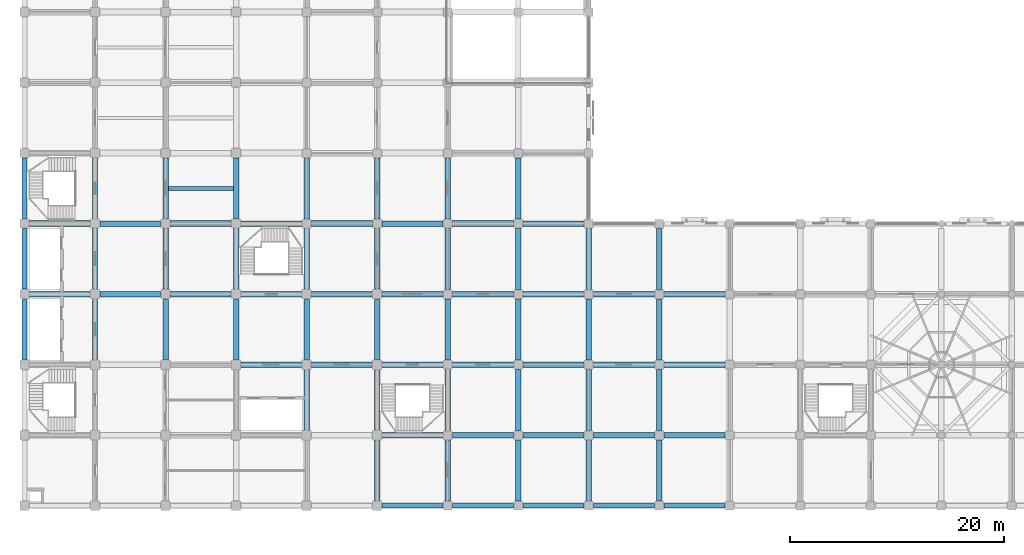
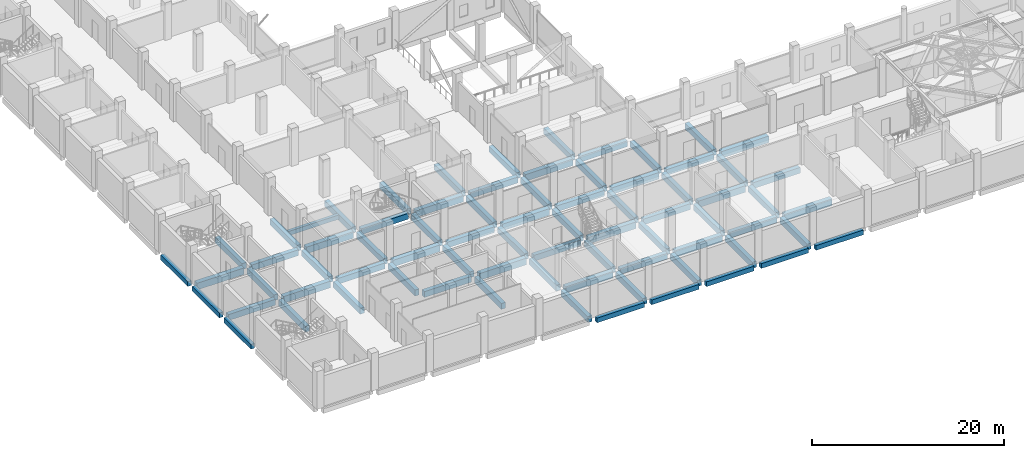
# One storey, part 2 of 34: 75 beams.
"""IFC4 building model written with IfcOpenShell, lengths in metres."""

import ifcopenshell
import ifcopenshell.guid

model = None  # the IFC model being written
_history = None  # IfcOwnerHistory: only IFC2X3 demands one
_inside = {}  # id of a spatial element -> (the spatial element, [elements in it])
_under = {}  # id of a project, library or spatial element -> (it, [spatial elements below it])
_declared = {}  # id of a project -> (the project, [libraries it declares])
_typed = {}  # id of a type object -> (the type object, [elements of that type])
_made_of = {}  # id of a material, layer set ... -> (it, [elements and type objects made of it])


def new_model(schema):
    """Start an empty IFC model of exactly this schema.

    Asked for "IFC4X3", IfcOpenShell would pick the latest addendum, in which some entities
    have other attributes; the version numbers below select the first issue.
    IFC2X3 requires an IfcOwnerHistory on every rooted entity: one is made here for all.
    """
    global model, _history
    if schema == "IFC4X3":
        model = ifcopenshell.file(schema_version=(4, 3, 0, 0))
    else:
        model = ifcopenshell.file(schema=schema)
    _inside.clear()
    _under.clear()
    _declared.clear()
    _typed.clear()
    _made_of.clear()
    _history = None
    if model.schema == "IFC2X3":
        org = make("IfcOrganization", Name="unknown")
        user = make(
            "IfcPersonAndOrganization",
            ThePerson=make("IfcPerson", FamilyName="unknown"),
            TheOrganization=org,
        )
        app = make(
            "IfcApplication",
            ApplicationDeveloper=org,
            Version="unknown",
            ApplicationFullName="unknown",
            ApplicationIdentifier="unknown",
        )
        _history = make(
            "IfcOwnerHistory",
            OwningUser=user,
            OwningApplication=app,
            ChangeAction="ADDED",
            CreationDate=0,
        )
    return model


def make(cls, **values):
    """One entity of the class cls with the attributes given. An attribute that is None is left unset."""
    return model.create_entity(
        cls, **{name: value for name, value in values.items() if value is not None}
    )


def rooted(cls, **values):
    """An entity with a GlobalId (a new one), such as an element, a storey or a relation."""
    return make(cls, GlobalId=ifcopenshell.guid.new(), OwnerHistory=_history, **values)


def si_unit(unit_type, name, prefix=None):
    """IfcSIUnit, for example si_unit("LENGTHUNIT", "METRE", prefix="MILLI")."""
    return make("IfcSIUnit", UnitType=unit_type, Prefix=prefix, Name=name)


def assignment(units):
    """IfcUnitAssignment: the units of a project."""
    return None if units is None else make("IfcUnitAssignment", Units=units)


def point(xyz):
    """IfcCartesianPoint."""
    return None if xyz is None else make("IfcCartesianPoint", Coordinates=xyz)


def direction(xyz):
    """IfcDirection."""
    return None if xyz is None else make("IfcDirection", DirectionRatios=xyz)


def frame(location, z_axis=None, x_axis=None):
    """IfcAxis2Placement3D, a coordinate frame: its origin and axes. An axis left out is left unset."""
    return make(
        "IfcAxis2Placement3D",
        Location=point(location),
        Axis=direction(z_axis),
        RefDirection=direction(x_axis),
    )


def frame_2d(location, x_axis=None):
    """IfcAxis2Placement2D, a coordinate frame in the plane: its origin and x axis."""
    return make(
        "IfcAxis2Placement2D", Location=point(location), RefDirection=direction(x_axis)
    )


def origin():
    """The frame at (0, 0, 0) with its axes left unset."""
    return frame((0.0, 0.0, 0.0))


def origin_2d():
    """The frame at (0, 0) in the plane with its x axis left unset."""
    return frame_2d((0.0, 0.0))


def place(relative_to, where):
    """IfcLocalPlacement: puts the frame where relative to a parent placement (None: the world)."""
    return make(
        "IfcLocalPlacement", PlacementRelTo=relative_to, RelativePlacement=where
    )


def context(
    kind, dimensions, precision=None, world=None, true_north=None, identifier=None
):
    """IfcGeometricRepresentationContext, for example the 3D "Model" context."""
    return make(
        "IfcGeometricRepresentationContext",
        ContextIdentifier=identifier,
        ContextType=kind,
        CoordinateSpaceDimension=dimensions,
        Precision=precision,
        WorldCoordinateSystem=world,
        TrueNorth=true_north,
    )


def subcontext(parent, identifier, kind, view, scale=None):
    """IfcGeometricRepresentationSubContext, for example "Body" below "Model"."""
    return make(
        "IfcGeometricRepresentationSubContext",
        ContextIdentifier=identifier,
        ContextType=kind,
        ParentContext=parent,
        TargetScale=scale,
        TargetView=view,
    )


def project(units=None, contexts=None):
    """IfcProject with its units and contexts."""
    return rooted(
        "IfcProject",
        Name="project",
        RepresentationContexts=contexts,
        UnitsInContext=assignment(units),
    )


def spatial(cls, under=None, at=None, **own):
    """A site, building, storey or space (cls), placed at a placement, below another one or the project."""
    s = rooted(cls, ObjectPlacement=at, **own)
    if under is not None:
        _under.setdefault(under.id(), (under, []))[1].append(s)
    return s


def profile(cls, at=None, kind="AREA", **sizes):
    """A parametric profile (cls). Its sizes go by their IFC names, for example OverallWidth=200.0."""
    return make(cls, ProfileType=kind, Position=at, **sizes)


def rectangle(**sizes):
    """IfcRectangleProfileDef."""
    return profile("IfcRectangleProfileDef", **sizes)


def extrude(swept, where, along, depth):
    """IfcExtrudedAreaSolid: the profile swept, set in the frame where, extruded along a direction by depth."""
    return make(
        "IfcExtrudedAreaSolid",
        SweptArea=swept,
        Position=where,
        ExtrudedDirection=direction(along),
        Depth=depth,
    )


def shape(context_of_items, identifier, shape_type, items):
    """IfcShapeRepresentation: the items that make up one representation, for example the "Body"."""
    return make(
        "IfcShapeRepresentation",
        ContextOfItems=context_of_items,
        RepresentationIdentifier=identifier,
        RepresentationType=shape_type,
        Items=items,
    )


def material(Name=None, Category=None):
    """IfcMaterial."""
    return make("IfcMaterial", Name=Name, Category=Category)


def material_profile(
    of_material, cross_section, Name=None, Category=None, Priority=None
):
    """IfcMaterialProfile: a cross section and its material."""
    return make(
        "IfcMaterialProfile",
        Name=Name,
        Material=of_material,
        Profile=cross_section,
        Priority=Priority,
        Category=Category,
    )


def profile_set(profiles, Name=None, composite=None):
    """IfcMaterialProfileSet."""
    return make(
        "IfcMaterialProfileSet",
        Name=Name,
        MaterialProfiles=profiles,
        CompositeProfile=composite,
    )


def made_of(thing, what):
    """Note that an element or type object is made of a material, layer set ...; save() writes the relation."""
    if what is not None:
        _made_of.setdefault(what.id(), (what, []))[1].append(thing)
    return thing


def type_object(cls, material=None, **own):
    """A type object (cls), such as IfcWallType, which elements share."""
    return made_of(rooted(cls, **own), material)


def element(
    cls,
    number,
    at=None,
    inside=None,
    cuts=None,
    type_object=None,
    material=None,
    context=None,
    identifier="Body",
    shape_type=None,
    held_by="IfcProductDefinitionShape",
    body=None,
    shapes=None,
    **own,
):
    """One element of the class cls, such as IfcWall. Its Tag is "e" and its number.

    at: its placement. inside: the storey or other place that contains it. cuts: it is an
    opening in that element (IfcRelVoidsElement). A single representation is given by context,
    identifier, shape_type and body (its items); several are given by shapes. held_by: the class
    of the entity that holds the representations. save() writes the other relations.
    """
    e = rooted(cls, Tag="e%d" % number, ObjectPlacement=at, **own)
    if body is not None:
        shapes = [shape(context, identifier, shape_type, body)]
    if shapes is not None:
        e.Representation = make(held_by, Representations=shapes)
    if inside is not None:
        _inside.setdefault(inside.id(), (inside, []))[1].append(e)
    if cuts is not None:
        rooted(
            "IfcRelVoidsElement", RelatingBuildingElement=cuts, RelatedOpeningElement=e
        )
    if type_object is not None:
        _typed.setdefault(type_object.id(), (type_object, []))[1].append(e)
    return made_of(e, material)


def aggregate(whole, parts):
    """IfcRelAggregates: a whole, such as a stair, and the parts it consists of."""
    return rooted("IfcRelAggregates", RelatingObject=whole, RelatedObjects=parts)


def save(model, path):
    """Write the relations noted so far, then the file.

    IfcRelAggregates (storeys below a building ...), IfcRelContainedInSpatialStructure (elements
    in a storey), IfcRelDefinesByType, IfcRelAssociatesMaterial and IfcRelDeclares: one each for
    every whole, place, type object, material and project.
    """
    for whole, parts in _under.values():
        aggregate(whole, parts)
    for where, things in _inside.values():
        rooted(
            "IfcRelContainedInSpatialStructure",
            RelatedElements=things,
            RelatingStructure=where,
        )
    for kind, things in _typed.values():
        rooted("IfcRelDefinesByType", RelatedObjects=things, RelatingType=kind)
    for what, things in _made_of.values():
        rooted("IfcRelAssociatesMaterial", RelatedObjects=things, RelatingMaterial=what)
    for by, libraries in _declared.values():
        rooted("IfcRelDeclares", RelatingContext=by, RelatedDefinitions=libraries)
    model.write(path)


model = new_model("IFC4")

# Units and contexts
model_context = context("Model", 3, precision=1e-05, world=origin(), true_north=direction((0.0, 1.0)))
body_context = subcontext(model_context, "Body", "Model", "MODEL_VIEW")
ifc_project = project(units=[si_unit("LENGTHUNIT", "METRE"), si_unit("AREAUNIT", "SQUARE_METRE"), si_unit("VOLUMEUNIT", "CUBIC_METRE"), si_unit("PLANEANGLEUNIT", "RADIAN"), si_unit("MASSUNIT", "GRAM", prefix="KILO")], contexts=[model_context])

# Site, building, storey
site_placement = place(None, origin())
site = spatial("IfcSite", under=ifc_project, at=site_placement, CompositionType="ELEMENT")
building_placement = place(site_placement, origin())
building = spatial("IfcBuilding", under=site, at=building_placement, Name="Rusizi Kubbe Research Institute", CompositionType="ELEMENT")
storey_placement = place(building_placement, frame((0.0, 0.0, 5.39990234375)))
storey = spatial("IfcBuildingStorey", under=building, at=storey_placement, Name="L01", CompositionType="ELEMENT", Elevation=5.39990234375)

# Beams
ifc_material_1 = material(Name="Concrete C40/50", Category="concrete")
ifc_material_profile_1 = material_profile(ifc_material_1, rectangle(XDim=0.35009765625, YDim=0.550048828125, at=origin_2d()), Name="RC350x550")
ifc_profile_set_1 = profile_set([ifc_material_profile_1], Name="Concrete C40/50")
beam_type_1 = type_object("IfcBeamType", Name="BM-RC350x550", PredefinedType="JOIST", material=ifc_profile_set_1)
beam_1_placement = place(storey_placement, frame((13.449951171875, 29.699951171875, -0.625), z_axis=(1.0, 0.0, 0.0), x_axis=(0.0, 1.0, 0.0)))
element("IfcBeam", 1, at=beam_1_placement, inside=storey, type_object=beam_type_1, Name="Lab Stiffener Joist L01 (2,4)", PredefinedType="JOIST", context=body_context, shape_type="SweptSolid", body=[
    extrude(rectangle(XDim=0.35009765625, YDim=0.550048828125, at=origin_2d()), origin(), (0.0, 0.0, 1.0), 6.10009765625),
])
ifc_material_2 = material(Name="Concrete C40/50", Category="concrete")
ifc_material_profile_2 = material_profile(ifc_material_2, rectangle(XDim=0.449951171875, YDim=0.60009765625, at=origin_2d()), Name="RC450x600")
ifc_profile_set_2 = profile_set([ifc_material_profile_2], Name="Concrete C40/50")
beam_type_2 = type_object("IfcBeamType", Name="BM-RC450x600", PredefinedType="SPANDREL", material=ifc_profile_set_2)
beam_2_placement = place(storey_placement, frame((33.47509765625, 0.0, -0.64990234375), z_axis=(1.0, 0.0, 0.0), x_axis=(0.0, 1.0, 0.0)))
element("IfcBeam", 2, at=beam_2_placement, inside=storey, type_object=beam_type_2, Name="Grid Beam H L01 (5,0)", PredefinedType="SPANDREL", context=body_context, shape_type="SweptSolid", body=[
    extrude(rectangle(XDim=0.449951171875, YDim=0.60009765625, at=origin_2d()), origin(), (0.0, 0.0, 1.0), 5.6748046875),
])
beam_3_placement = place(storey_placement, frame((40.050048828125, 0.0, -0.64990234375), z_axis=(1.0, 0.0, 0.0), x_axis=(0.0, 1.0, 0.0)))
element("IfcBeam", 3, at=beam_3_placement, inside=storey, type_object=beam_type_2, Name="Grid Beam H L01 (6,0)", PredefinedType="SPANDREL", context=body_context, shape_type="SweptSolid", body=[
    extrude(rectangle(XDim=0.449951171875, YDim=0.60009765625, at=origin_2d()), origin(), (0.0, 0.0, 1.0), 5.699951171875),
])
beam_4_placement = place(storey_placement, frame((46.64990234375, 0.0, -0.64990234375), z_axis=(1.0, 0.0, 0.0), x_axis=(0.0, 1.0, 0.0)))
element("IfcBeam", 4, at=beam_4_placement, inside=storey, type_object=beam_type_2, Name="Grid Beam H L01 (7,0)", PredefinedType="SPANDREL", context=body_context, shape_type="SweptSolid", body=[
    extrude(rectangle(XDim=0.449951171875, YDim=0.60009765625, at=origin_2d()), origin(), (0.0, 0.0, 1.0), 5.7001953125),
])
for number, where, z_axis, x_axis, name in (
    (5, (53.25, 0.0, -0.64990234375), (1.0, 0.0, 0.0), (0.0, 1.0, 0.0), "Grid Beam H L01 (8,0)"),
    (6, (59.85009765625, 0.0, -0.64990234375), (1.0, 0.0, 0.0), (0.0, 1.0, 0.0), "Grid Beam H L01 (9,0)"),
):
    element("IfcBeam", number, at=place(storey_placement, frame(where, z_axis=z_axis, x_axis=x_axis)), inside=storey, type_object=beam_type_2, Name=name, PredefinedType="SPANDREL", context=body_context, shape_type="SweptSolid", body=[
        extrude(rectangle(XDim=0.449951171875, YDim=0.60009765625, at=origin_2d()), origin(), (0.0, 0.0, 1.0), 5.699951171875),
    ])
beam_5_placement = place(storey_placement, frame((0.0, 13.675048828125, -0.64990234375), z_axis=(0.0, 1.0, 0.0), x_axis=(-1.0, 0.0, 0.0)))
element("IfcBeam", 7, at=beam_5_placement, inside=storey, type_object=beam_type_2, Name="Grid Beam V L01 (0,2)", PredefinedType="SPANDREL", context=body_context, shape_type="SweptSolid", body=[
    extrude(rectangle(XDim=0.449951171875, YDim=0.60009765625, at=origin_2d()), origin(), (0.0, 0.0, 1.0), 5.64990234375),
])
beam_6_placement = place(storey_placement, frame((0.0, 20.27490234375, -0.64990234375), z_axis=(0.0, 1.0, 0.0), x_axis=(-1.0, 0.0, 0.0)))
element("IfcBeam", 8, at=beam_6_placement, inside=storey, type_object=beam_type_2, Name="Grid Beam V L01 (0,3)", PredefinedType="SPANDREL", context=body_context, shape_type="SweptSolid", body=[
    extrude(rectangle(XDim=0.449951171875, YDim=0.60009765625, at=origin_2d()), origin(), (0.0, 0.0, 1.0), 5.650146484375),
])
beam_7_placement = place(storey_placement, frame((0.0, 26.875, -0.64990234375), z_axis=(0.0, 1.0, 0.0), x_axis=(-1.0, 0.0, 0.0)))
element("IfcBeam", 9, at=beam_7_placement, inside=storey, type_object=beam_type_2, Name="Grid Beam V L01 (0,4)", PredefinedType="SPANDREL", context=body_context, shape_type="SweptSolid", body=[
    extrude(rectangle(XDim=0.449951171875, YDim=0.60009765625, at=origin_2d()), origin(), (0.0, 0.0, 1.0), 5.64990234375),
])
ifc_material_3 = material(Name="Concrete C45/55", Category="concrete")
ifc_material_profile_3 = material_profile(ifc_material_3, rectangle(XDim=0.5, YDim=0.75, at=origin_2d()), Name="RC500x750B")
ifc_profile_set_3 = profile_set([ifc_material_profile_3], Name="Concrete C45/55")
beam_type_3 = type_object("IfcBeamType", Name="BM-RC500x750", PredefinedType="BEAM", material=ifc_profile_set_3)
beam_8_placement = place(storey_placement, frame((0.47509765625, 19.800048828125, -0.724853515625), z_axis=(1.0, 0.0, 0.0), x_axis=(0.0, 1.0, 0.0)))
element("IfcBeam", 10, at=beam_8_placement, inside=storey, type_object=beam_type_3, Name="Grid Beam H L01 (0,3)", PredefinedType="BEAM", context=body_context, shape_type="SweptSolid", body=[
    extrude(rectangle(XDim=0.5, YDim=0.75, at=origin_2d()), origin(), (0.0, 0.0, 1.0), 5.64990234375),
])
beam_9_placement = place(storey_placement, frame((7.074951171875, 26.39990234375, -0.724853515625), z_axis=(1.0, 0.0, 0.0), x_axis=(0.0, 1.0, 0.0)))
element("IfcBeam", 11, at=beam_9_placement, inside=storey, type_object=beam_type_3, Name="Grid Beam H L01 (1,4)", PredefinedType="BEAM", context=body_context, shape_type="SweptSolid", body=[
    extrude(rectangle(XDim=0.5, YDim=0.75, at=origin_2d()), origin(), (0.0, 0.0, 1.0), 5.650146484375),
])
beam_10_placement = place(storey_placement, frame((13.675048828125, 19.800048828125, -0.724853515625), z_axis=(1.0, 0.0, 0.0), x_axis=(0.0, 1.0, 0.0)))
element("IfcBeam", 12, at=beam_10_placement, inside=storey, type_object=beam_type_3, Name="Grid Beam H L01 (2,3)", PredefinedType="BEAM", context=body_context, shape_type="SweptSolid", body=[
    extrude(rectangle(XDim=0.5, YDim=0.75, at=origin_2d()), origin(), (0.0, 0.0, 1.0), 5.64990234375),
])
beam_11_placement = place(storey_placement, frame((20.27490234375, 13.199951171875, -0.724853515625), z_axis=(1.0, 0.0, 0.0), x_axis=(0.0, 1.0, 0.0)))
element("IfcBeam", 13, at=beam_11_placement, inside=storey, type_object=beam_type_3, Name="Grid Beam H L01 (3,2)", PredefinedType="BEAM", context=body_context, shape_type="SweptSolid", body=[
    extrude(rectangle(XDim=0.5, YDim=0.75, at=origin_2d()), origin(), (0.0, 0.0, 1.0), 5.650146484375),
])
beam_12_placement = place(storey_placement, frame((20.27490234375, 26.39990234375, -0.724853515625), z_axis=(1.0, 0.0, 0.0), x_axis=(0.0, 1.0, 0.0)))
element("IfcBeam", 14, at=beam_12_placement, inside=storey, type_object=beam_type_3, Name="Grid Beam H L01 (3,4)", PredefinedType="BEAM", context=body_context, shape_type="SweptSolid", body=[
    extrude(rectangle(XDim=0.5, YDim=0.75, at=origin_2d()), origin(), (0.0, 0.0, 1.0), 5.675048828125),
])
beam_13_placement = place(storey_placement, frame((26.875, 19.800048828125, -0.724853515625), z_axis=(1.0, 0.0, 0.0), x_axis=(0.0, 1.0, 0.0)))
element("IfcBeam", 15, at=beam_13_placement, inside=storey, type_object=beam_type_3, Name="Grid Beam H L01 (4,3)", PredefinedType="BEAM", context=body_context, shape_type="SweptSolid", body=[
    extrude(rectangle(XDim=0.5, YDim=0.75, at=origin_2d()), origin(), (0.0, 0.0, 1.0), 5.64990234375),
])
beam_14_placement = place(storey_placement, frame((33.47509765625, 13.199951171875, -0.724853515625), z_axis=(1.0, 0.0, 0.0), x_axis=(0.0, 1.0, 0.0)))
element("IfcBeam", 16, at=beam_14_placement, inside=storey, type_object=beam_type_3, Name="Grid Beam H L01 (5,2)", PredefinedType="BEAM", context=body_context, shape_type="SweptSolid", body=[
    extrude(rectangle(XDim=0.5, YDim=0.75, at=origin_2d()), origin(), (0.0, 0.0, 1.0), 5.6748046875),
])
for number, where, z_axis, x_axis, name in (
    (17, (33.449951171875, 26.39990234375, -0.724853515625), (1.0, 0.0, 0.0), (0.0, 1.0, 0.0), "Grid Beam H L01 (5,4)"),
    (18, (40.050048828125, 6.60009765625, -0.724853515625), (1.0, 0.0, 0.0), (0.0, 1.0, 0.0), "Grid Beam H L01 (6,1)"),
    (19, (40.050048828125, 19.800048828125, -0.724853515625), (1.0, 0.0, 0.0), (0.0, 1.0, 0.0), "Grid Beam H L01 (6,3)"),
):
    element("IfcBeam", number, at=place(storey_placement, frame(where, z_axis=z_axis, x_axis=x_axis)), inside=storey, type_object=beam_type_3, Name=name, PredefinedType="BEAM", context=body_context, shape_type="SweptSolid", body=[
        extrude(rectangle(XDim=0.5, YDim=0.75, at=origin_2d()), origin(), (0.0, 0.0, 1.0), 5.699951171875),
    ])
for number, where, z_axis, x_axis, name in (
    (20, (46.64990234375, 13.199951171875, -0.724853515625), (1.0, 0.0, 0.0), (0.0, 1.0, 0.0), "Grid Beam H L01 (7,2)"),
    (21, (46.64990234375, 26.39990234375, -0.724853515625), (1.0, 0.0, 0.0), (0.0, 1.0, 0.0), "Grid Beam H L01 (7,4)"),
):
    element("IfcBeam", number, at=place(storey_placement, frame(where, z_axis=z_axis, x_axis=x_axis)), inside=storey, type_object=beam_type_3, Name=name, PredefinedType="BEAM", context=body_context, shape_type="SweptSolid", body=[
        extrude(rectangle(XDim=0.5, YDim=0.75, at=origin_2d()), origin(), (0.0, 0.0, 1.0), 5.7001953125),
    ])
for number, where, z_axis, x_axis, name in (
    (22, (53.25, 6.60009765625, -0.724853515625), (1.0, 0.0, 0.0), (0.0, 1.0, 0.0), "Grid Beam H L01 (8,1)"),
    (23, (53.25, 19.800048828125, -0.724853515625), (1.0, 0.0, 0.0), (0.0, 1.0, 0.0), "Grid Beam H L01 (8,3)"),
    (24, (59.85009765625, 13.199951171875, -0.724853515625), (1.0, 0.0, 0.0), (0.0, 1.0, 0.0), "Grid Beam H L01 (9,2)"),
):
    element("IfcBeam", number, at=place(storey_placement, frame(where, z_axis=z_axis, x_axis=x_axis)), inside=storey, type_object=beam_type_3, Name=name, PredefinedType="BEAM", context=body_context, shape_type="SweptSolid", body=[
        extrude(rectangle(XDim=0.5, YDim=0.75, at=origin_2d()), origin(), (0.0, 0.0, 1.0), 5.699951171875),
    ])
beam_15_placement = place(storey_placement, frame((6.60009765625, 13.675048828125, -0.724853515625), z_axis=(0.0, 1.0, 0.0), x_axis=(-1.0, 0.0, 0.0)))
element("IfcBeam", 25, at=beam_15_placement, inside=storey, type_object=beam_type_3, Name="Grid Beam V L01 (1,2)", PredefinedType="BEAM", context=body_context, shape_type="SweptSolid", body=[
    extrude(rectangle(XDim=0.5, YDim=0.75, at=origin_2d()), origin(), (0.0, 0.0, 1.0), 5.64990234375),
])
beam_16_placement = place(storey_placement, frame((6.60009765625, 20.27490234375, -0.724853515625), z_axis=(0.0, 1.0, 0.0), x_axis=(-1.0, 0.0, 0.0)))
element("IfcBeam", 26, at=beam_16_placement, inside=storey, type_object=beam_type_3, Name="Grid Beam V L01 (1,3)", PredefinedType="BEAM", context=body_context, shape_type="SweptSolid", body=[
    extrude(rectangle(XDim=0.5, YDim=0.75, at=origin_2d()), origin(), (0.0, 0.0, 1.0), 5.650146484375),
])
for number, where, z_axis, x_axis, name in (
    (27, (6.60009765625, 26.875, -0.724853515625), (0.0, 1.0, 0.0), (-1.0, 0.0, 0.0), "Grid Beam V L01 (1,4)"),
    (28, (13.199951171875, 13.675048828125, -0.724853515625), (0.0, 1.0, 0.0), (-1.0, 0.0, 0.0), "Grid Beam V L01 (2,2)"),
):
    element("IfcBeam", number, at=place(storey_placement, frame(where, z_axis=z_axis, x_axis=x_axis)), inside=storey, type_object=beam_type_3, Name=name, PredefinedType="BEAM", context=body_context, shape_type="SweptSolid", body=[
        extrude(rectangle(XDim=0.5, YDim=0.75, at=origin_2d()), origin(), (0.0, 0.0, 1.0), 5.64990234375),
    ])
beam_17_placement = place(storey_placement, frame((13.199951171875, 20.27490234375, -0.724853515625), z_axis=(0.0, 1.0, 0.0), x_axis=(-1.0, 0.0, 0.0)))
element("IfcBeam", 29, at=beam_17_placement, inside=storey, type_object=beam_type_3, Name="Grid Beam V L01 (2,3)", PredefinedType="BEAM", context=body_context, shape_type="SweptSolid", body=[
    extrude(rectangle(XDim=0.5, YDim=0.75, at=origin_2d()), origin(), (0.0, 0.0, 1.0), 5.650146484375),
])
for number, where, z_axis, x_axis, name in (
    (30, (13.199951171875, 26.875, -0.724853515625), (0.0, 1.0, 0.0), (-1.0, 0.0, 0.0), "Grid Beam V L01 (2,4)"),
    (31, (19.800048828125, 13.675048828125, -0.724853515625), (0.0, 1.0, 0.0), (-1.0, 0.0, 0.0), "Grid Beam V L01 (3,2)"),
):
    element("IfcBeam", number, at=place(storey_placement, frame(where, z_axis=z_axis, x_axis=x_axis)), inside=storey, type_object=beam_type_3, Name=name, PredefinedType="BEAM", context=body_context, shape_type="SweptSolid", body=[
        extrude(rectangle(XDim=0.5, YDim=0.75, at=origin_2d()), origin(), (0.0, 0.0, 1.0), 5.64990234375),
    ])
beam_18_placement = place(storey_placement, frame((19.800048828125, 20.27490234375, -0.724853515625), z_axis=(0.0, 1.0, 0.0), x_axis=(-1.0, 0.0, 0.0)))
element("IfcBeam", 32, at=beam_18_placement, inside=storey, type_object=beam_type_3, Name="Grid Beam V L01 (3,3)", PredefinedType="BEAM", context=body_context, shape_type="SweptSolid", body=[
    extrude(rectangle(XDim=0.5, YDim=0.75, at=origin_2d()), origin(), (0.0, 0.0, 1.0), 5.650146484375),
])
beam_19_placement = place(storey_placement, frame((19.800048828125, 26.875, -0.724853515625), z_axis=(0.0, 1.0, 0.0), x_axis=(-1.0, 0.0, 0.0)))
element("IfcBeam", 33, at=beam_19_placement, inside=storey, type_object=beam_type_3, Name="Grid Beam V L01 (3,4)", PredefinedType="BEAM", context=body_context, shape_type="SweptSolid", body=[
    extrude(rectangle(XDim=0.5, YDim=0.75, at=origin_2d()), origin(), (0.0, 0.0, 1.0), 5.64990234375),
])
beam_20_placement = place(storey_placement, frame((26.39990234375, 7.074951171875, -0.724853515625), z_axis=(0.0, 1.0, 0.0), x_axis=(-1.0, 0.0, 0.0)))
element("IfcBeam", 34, at=beam_20_placement, inside=storey, type_object=beam_type_3, Name="Grid Beam V L01 (4,1)", PredefinedType="BEAM", context=body_context, shape_type="SweptSolid", body=[
    extrude(rectangle(XDim=0.5, YDim=0.75, at=origin_2d()), origin(), (0.0, 0.0, 1.0), 5.650146484375),
])
beam_21_placement = place(storey_placement, frame((26.39990234375, 13.675048828125, -0.724853515625), z_axis=(0.0, 1.0, 0.0), x_axis=(-1.0, 0.0, 0.0)))
element("IfcBeam", 35, at=beam_21_placement, inside=storey, type_object=beam_type_3, Name="Grid Beam V L01 (4,2)", PredefinedType="BEAM", context=body_context, shape_type="SweptSolid", body=[
    extrude(rectangle(XDim=0.5, YDim=0.75, at=origin_2d()), origin(), (0.0, 0.0, 1.0), 5.64990234375),
])
beam_22_placement = place(storey_placement, frame((26.39990234375, 20.27490234375, -0.724853515625), z_axis=(0.0, 1.0, 0.0), x_axis=(-1.0, 0.0, 0.0)))
element("IfcBeam", 36, at=beam_22_placement, inside=storey, type_object=beam_type_3, Name="Grid Beam V L01 (4,3)", PredefinedType="BEAM", context=body_context, shape_type="SweptSolid", body=[
    extrude(rectangle(XDim=0.5, YDim=0.75, at=origin_2d()), origin(), (0.0, 0.0, 1.0), 5.675048828125),
])
beam_23_placement = place(storey_placement, frame((26.39990234375, 26.85009765625, -0.724853515625), z_axis=(0.0, 1.0, 0.0), x_axis=(-1.0, 0.0, 0.0)))
element("IfcBeam", 37, at=beam_23_placement, inside=storey, type_object=beam_type_3, Name="Grid Beam V L01 (4,4)", PredefinedType="BEAM", context=body_context, shape_type="SweptSolid", body=[
    extrude(rectangle(XDim=0.5, YDim=0.75, at=origin_2d()), origin(), (0.0, 0.0, 1.0), 5.699951171875),
])
beam_24_placement = place(storey_placement, frame((33.0, 0.47509765625, -0.724853515625), z_axis=(0.0, 1.0, 0.0), x_axis=(-1.0, 0.0, 0.0)))
element("IfcBeam", 38, at=beam_24_placement, inside=storey, type_object=beam_type_3, Name="Grid Beam V L01 (5,0)", PredefinedType="BEAM", context=body_context, shape_type="SweptSolid", body=[
    extrude(rectangle(XDim=0.5, YDim=0.75, at=origin_2d()), origin(), (0.0, 0.0, 1.0), 5.64990234375),
])
beam_25_placement = place(storey_placement, frame((33.0, 7.074951171875, -0.724853515625), z_axis=(0.0, 1.0, 0.0), x_axis=(-1.0, 0.0, 0.0)))
element("IfcBeam", 39, at=beam_25_placement, inside=storey, type_object=beam_type_3, Name="Grid Beam V L01 (5,1)", PredefinedType="BEAM", context=body_context, shape_type="SweptSolid", body=[
    extrude(rectangle(XDim=0.5, YDim=0.75, at=origin_2d()), origin(), (0.0, 0.0, 1.0), 5.650146484375),
])
beam_26_placement = place(storey_placement, frame((33.0, 13.675048828125, -0.724853515625), z_axis=(0.0, 1.0, 0.0), x_axis=(-1.0, 0.0, 0.0)))
element("IfcBeam", 40, at=beam_26_placement, inside=storey, type_object=beam_type_3, Name="Grid Beam V L01 (5,2)", PredefinedType="BEAM", context=body_context, shape_type="SweptSolid", body=[
    extrude(rectangle(XDim=0.5, YDim=0.75, at=origin_2d()), origin(), (0.0, 0.0, 1.0), 5.64990234375),
])
beam_27_placement = place(storey_placement, frame((33.0, 20.27490234375, -0.724853515625), z_axis=(0.0, 1.0, 0.0), x_axis=(-1.0, 0.0, 0.0)))
element("IfcBeam", 41, at=beam_27_placement, inside=storey, type_object=beam_type_3, Name="Grid Beam V L01 (5,3)", PredefinedType="BEAM", context=body_context, shape_type="SweptSolid", body=[
    extrude(rectangle(XDim=0.5, YDim=0.75, at=origin_2d()), origin(), (0.0, 0.0, 1.0), 5.675048828125),
])
for number, where, z_axis, x_axis, name in (
    (42, (33.0, 26.85009765625, -0.724853515625), (0.0, 1.0, 0.0), (-1.0, 0.0, 0.0), "Grid Beam V L01 (5,4)"),
    (43, (39.60009765625, 0.449951171875, -0.724853515625), (0.0, 1.0, 0.0), (-1.0, 0.0, 0.0), "Grid Beam V L01 (6,0)"),
    (44, (39.60009765625, 7.050048828125, -0.724853515625), (0.0, 1.0, 0.0), (-1.0, 0.0, 0.0), "Grid Beam V L01 (6,1)"),
):
    element("IfcBeam", number, at=place(storey_placement, frame(where, z_axis=z_axis, x_axis=x_axis)), inside=storey, type_object=beam_type_3, Name=name, PredefinedType="BEAM", context=body_context, shape_type="SweptSolid", body=[
        extrude(rectangle(XDim=0.5, YDim=0.75, at=origin_2d()), origin(), (0.0, 0.0, 1.0), 5.699951171875),
    ])
beam_28_placement = place(storey_placement, frame((39.60009765625, 13.64990234375, -0.724853515625), z_axis=(0.0, 1.0, 0.0), x_axis=(-1.0, 0.0, 0.0)))
element("IfcBeam", 45, at=beam_28_placement, inside=storey, type_object=beam_type_3, Name="Grid Beam V L01 (6,2)", PredefinedType="BEAM", context=body_context, shape_type="SweptSolid", body=[
    extrude(rectangle(XDim=0.5, YDim=0.75, at=origin_2d()), origin(), (0.0, 0.0, 1.0), 5.7001953125),
])
for number, where, z_axis, x_axis, name in (
    (46, (39.60009765625, 20.25, -0.724853515625), (0.0, 1.0, 0.0), (-1.0, 0.0, 0.0), "Grid Beam V L01 (6,3)"),
    (47, (39.60009765625, 26.85009765625, -0.724853515625), (0.0, 1.0, 0.0), (-1.0, 0.0, 0.0), "Grid Beam V L01 (6,4)"),
    (48, (46.199951171875, 0.449951171875, -0.724853515625), (0.0, 1.0, 0.0), (-1.0, 0.0, 0.0), "Grid Beam V L01 (7,0)"),
    (49, (46.199951171875, 7.050048828125, -0.724853515625), (0.0, 1.0, 0.0), (-1.0, 0.0, 0.0), "Grid Beam V L01 (7,1)"),
):
    element("IfcBeam", number, at=place(storey_placement, frame(where, z_axis=z_axis, x_axis=x_axis)), inside=storey, type_object=beam_type_3, Name=name, PredefinedType="BEAM", context=body_context, shape_type="SweptSolid", body=[
        extrude(rectangle(XDim=0.5, YDim=0.75, at=origin_2d()), origin(), (0.0, 0.0, 1.0), 5.699951171875),
    ])
beam_29_placement = place(storey_placement, frame((46.199951171875, 13.64990234375, -0.724853515625), z_axis=(0.0, 1.0, 0.0), x_axis=(-1.0, 0.0, 0.0)))
element("IfcBeam", 50, at=beam_29_placement, inside=storey, type_object=beam_type_3, Name="Grid Beam V L01 (7,2)", PredefinedType="BEAM", context=body_context, shape_type="SweptSolid", body=[
    extrude(rectangle(XDim=0.5, YDim=0.75, at=origin_2d()), origin(), (0.0, 0.0, 1.0), 5.7001953125),
])
for number, where, z_axis, x_axis, name in (
    (51, (46.199951171875, 20.25, -0.724853515625), (0.0, 1.0, 0.0), (-1.0, 0.0, 0.0), "Grid Beam V L01 (7,3)"),
    (52, (46.199951171875, 26.85009765625, -0.724853515625), (0.0, 1.0, 0.0), (-1.0, 0.0, 0.0), "Grid Beam V L01 (7,4)"),
    (53, (52.800048828125, 0.449951171875, -0.724853515625), (0.0, 1.0, 0.0), (-1.0, 0.0, 0.0), "Grid Beam V L01 (8,0)"),
    (54, (52.800048828125, 7.050048828125, -0.724853515625), (0.0, 1.0, 0.0), (-1.0, 0.0, 0.0), "Grid Beam V L01 (8,1)"),
):
    element("IfcBeam", number, at=place(storey_placement, frame(where, z_axis=z_axis, x_axis=x_axis)), inside=storey, type_object=beam_type_3, Name=name, PredefinedType="BEAM", context=body_context, shape_type="SweptSolid", body=[
        extrude(rectangle(XDim=0.5, YDim=0.75, at=origin_2d()), origin(), (0.0, 0.0, 1.0), 5.699951171875),
    ])
beam_30_placement = place(storey_placement, frame((52.800048828125, 13.64990234375, -0.724853515625), z_axis=(0.0, 1.0, 0.0), x_axis=(-1.0, 0.0, 0.0)))
element("IfcBeam", 55, at=beam_30_placement, inside=storey, type_object=beam_type_3, Name="Grid Beam V L01 (8,2)", PredefinedType="BEAM", context=body_context, shape_type="SweptSolid", body=[
    extrude(rectangle(XDim=0.5, YDim=0.75, at=origin_2d()), origin(), (0.0, 0.0, 1.0), 5.7001953125),
])
for number, where, z_axis, x_axis, name in (
    (56, (52.800048828125, 20.25, -0.724853515625), (0.0, 1.0, 0.0), (-1.0, 0.0, 0.0), "Grid Beam V L01 (8,3)"),
    (57, (59.39990234375, 0.449951171875, -0.724853515625), (0.0, 1.0, 0.0), (-1.0, 0.0, 0.0), "Grid Beam V L01 (9,0)"),
    (58, (59.39990234375, 7.050048828125, -0.724853515625), (0.0, 1.0, 0.0), (-1.0, 0.0, 0.0), "Grid Beam V L01 (9,1)"),
):
    element("IfcBeam", number, at=place(storey_placement, frame(where, z_axis=z_axis, x_axis=x_axis)), inside=storey, type_object=beam_type_3, Name=name, PredefinedType="BEAM", context=body_context, shape_type="SweptSolid", body=[
        extrude(rectangle(XDim=0.5, YDim=0.75, at=origin_2d()), origin(), (0.0, 0.0, 1.0), 5.699951171875),
    ])
beam_31_placement = place(storey_placement, frame((59.39990234375, 13.64990234375, -0.724853515625), z_axis=(0.0, 1.0, 0.0), x_axis=(-1.0, 0.0, 0.0)))
element("IfcBeam", 59, at=beam_31_placement, inside=storey, type_object=beam_type_3, Name="Grid Beam V L01 (9,2)", PredefinedType="BEAM", context=body_context, shape_type="SweptSolid", body=[
    extrude(rectangle(XDim=0.5, YDim=0.75, at=origin_2d()), origin(), (0.0, 0.0, 1.0), 5.7001953125),
])
beam_32_placement = place(storey_placement, frame((59.39990234375, 20.25, -0.724853515625), z_axis=(0.0, 1.0, 0.0), x_axis=(-1.0, 0.0, 0.0)))
element("IfcBeam", 60, at=beam_32_placement, inside=storey, type_object=beam_type_3, Name="Grid Beam V L01 (9,3)", PredefinedType="BEAM", context=body_context, shape_type="SweptSolid", body=[
    extrude(rectangle(XDim=0.5, YDim=0.75, at=origin_2d()), origin(), (0.0, 0.0, 1.0), 5.699951171875),
])
ifc_material_4 = material(Name="Concrete C45/55", Category="concrete")
ifc_material_profile_4 = material_profile(ifc_material_4, rectangle(XDim=0.550048828125, YDim=0.85009765625, at=origin_2d()), Name="RC550x850")
ifc_profile_set_4 = profile_set([ifc_material_profile_4], Name="Concrete C45/55")
beam_type_4 = type_object("IfcBeamType", Name="BM-RC550x850", PredefinedType="BEAM", material=ifc_profile_set_4)
beam_33_placement = place(storey_placement, frame((0.47509765625, 26.39990234375, -0.77490234375), z_axis=(1.0, 0.0, 0.0), x_axis=(0.0, 1.0, 0.0)))
element("IfcBeam", 61, at=beam_33_placement, inside=storey, type_object=beam_type_4, Name="Grid Beam H L01 (0,4)", PredefinedType="BEAM", context=body_context, shape_type="SweptSolid", body=[
    extrude(rectangle(XDim=0.550048828125, YDim=0.85009765625, at=origin_2d()), origin(), (0.0, 0.0, 1.0), 5.64990234375),
])
beam_34_placement = place(storey_placement, frame((7.074951171875, 19.800048828125, -0.77490234375), z_axis=(1.0, 0.0, 0.0), x_axis=(0.0, 1.0, 0.0)))
element("IfcBeam", 62, at=beam_34_placement, inside=storey, type_object=beam_type_4, Name="Grid Beam H L01 (1,3)", PredefinedType="BEAM", context=body_context, shape_type="SweptSolid", body=[
    extrude(rectangle(XDim=0.550048828125, YDim=0.85009765625, at=origin_2d()), origin(), (0.0, 0.0, 1.0), 5.650146484375),
])
beam_35_placement = place(storey_placement, frame((13.675048828125, 26.39990234375, -0.77490234375), z_axis=(1.0, 0.0, 0.0), x_axis=(0.0, 1.0, 0.0)))
element("IfcBeam", 63, at=beam_35_placement, inside=storey, type_object=beam_type_4, Name="Grid Beam H L01 (2,4)", PredefinedType="BEAM", context=body_context, shape_type="SweptSolid", body=[
    extrude(rectangle(XDim=0.550048828125, YDim=0.85009765625, at=origin_2d()), origin(), (0.0, 0.0, 1.0), 5.64990234375),
])
beam_36_placement = place(storey_placement, frame((20.27490234375, 19.800048828125, -0.77490234375), z_axis=(1.0, 0.0, 0.0), x_axis=(0.0, 1.0, 0.0)))
element("IfcBeam", 64, at=beam_36_placement, inside=storey, type_object=beam_type_4, Name="Grid Beam H L01 (3,3)", PredefinedType="BEAM", context=body_context, shape_type="SweptSolid", body=[
    extrude(rectangle(XDim=0.550048828125, YDim=0.85009765625, at=origin_2d()), origin(), (0.0, 0.0, 1.0), 5.650146484375),
])
beam_37_placement = place(storey_placement, frame((26.875, 13.199951171875, -0.77490234375), z_axis=(1.0, 0.0, 0.0), x_axis=(0.0, 1.0, 0.0)))
element("IfcBeam", 65, at=beam_37_placement, inside=storey, type_object=beam_type_4, Name="Grid Beam H L01 (4,2)", PredefinedType="BEAM", context=body_context, shape_type="SweptSolid", body=[
    extrude(rectangle(XDim=0.550048828125, YDim=0.85009765625, at=origin_2d()), origin(), (0.0, 0.0, 1.0), 5.64990234375),
])
beam_38_placement = place(storey_placement, frame((26.85009765625, 26.39990234375, -0.77490234375), z_axis=(1.0, 0.0, 0.0), x_axis=(0.0, 1.0, 0.0)))
element("IfcBeam", 66, at=beam_38_placement, inside=storey, type_object=beam_type_4, Name="Grid Beam H L01 (4,4)", PredefinedType="BEAM", context=body_context, shape_type="SweptSolid", body=[
    extrude(rectangle(XDim=0.550048828125, YDim=0.85009765625, at=origin_2d()), origin(), (0.0, 0.0, 1.0), 5.699951171875),
])
for number, where, z_axis, x_axis, name in (
    (67, (33.47509765625, 6.60009765625, -0.77490234375), (1.0, 0.0, 0.0), (0.0, 1.0, 0.0), "Grid Beam H L01 (5,1)"),
    (68, (33.47509765625, 19.800048828125, -0.77490234375), (1.0, 0.0, 0.0), (0.0, 1.0, 0.0), "Grid Beam H L01 (5,3)"),
):
    element("IfcBeam", number, at=place(storey_placement, frame(where, z_axis=z_axis, x_axis=x_axis)), inside=storey, type_object=beam_type_4, Name=name, PredefinedType="BEAM", context=body_context, shape_type="SweptSolid", body=[
        extrude(rectangle(XDim=0.550048828125, YDim=0.85009765625, at=origin_2d()), origin(), (0.0, 0.0, 1.0), 5.6748046875),
    ])
for number, where, z_axis, x_axis, name in (
    (69, (40.050048828125, 13.199951171875, -0.77490234375), (1.0, 0.0, 0.0), (0.0, 1.0, 0.0), "Grid Beam H L01 (6,2)"),
    (70, (40.050048828125, 26.39990234375, -0.77490234375), (1.0, 0.0, 0.0), (0.0, 1.0, 0.0), "Grid Beam H L01 (6,4)"),
):
    element("IfcBeam", number, at=place(storey_placement, frame(where, z_axis=z_axis, x_axis=x_axis)), inside=storey, type_object=beam_type_4, Name=name, PredefinedType="BEAM", context=body_context, shape_type="SweptSolid", body=[
        extrude(rectangle(XDim=0.550048828125, YDim=0.85009765625, at=origin_2d()), origin(), (0.0, 0.0, 1.0), 5.699951171875),
    ])
for number, where, z_axis, x_axis, name in (
    (71, (46.64990234375, 6.60009765625, -0.77490234375), (1.0, 0.0, 0.0), (0.0, 1.0, 0.0), "Grid Beam H L01 (7,1)"),
    (72, (46.64990234375, 19.800048828125, -0.77490234375), (1.0, 0.0, 0.0), (0.0, 1.0, 0.0), "Grid Beam H L01 (7,3)"),
):
    element("IfcBeam", number, at=place(storey_placement, frame(where, z_axis=z_axis, x_axis=x_axis)), inside=storey, type_object=beam_type_4, Name=name, PredefinedType="BEAM", context=body_context, shape_type="SweptSolid", body=[
        extrude(rectangle(XDim=0.550048828125, YDim=0.85009765625, at=origin_2d()), origin(), (0.0, 0.0, 1.0), 5.7001953125),
    ])
for number, where, z_axis, x_axis, name in (
    (73, (53.25, 13.199951171875, -0.77490234375), (1.0, 0.0, 0.0), (0.0, 1.0, 0.0), "Grid Beam H L01 (8,2)"),
    (74, (59.85009765625, 6.60009765625, -0.77490234375), (1.0, 0.0, 0.0), (0.0, 1.0, 0.0), "Grid Beam H L01 (9,1)"),
    (75, (59.85009765625, 19.800048828125, -0.77490234375), (1.0, 0.0, 0.0), (0.0, 1.0, 0.0), "Grid Beam H L01 (9,3)"),
):
    element("IfcBeam", number, at=place(storey_placement, frame(where, z_axis=z_axis, x_axis=x_axis)), inside=storey, type_object=beam_type_4, Name=name, PredefinedType="BEAM", context=body_context, shape_type="SweptSolid", body=[
        extrude(rectangle(XDim=0.550048828125, YDim=0.85009765625, at=origin_2d()), origin(), (0.0, 0.0, 1.0), 5.699951171875),
    ])

save(model, "model.ifc")
